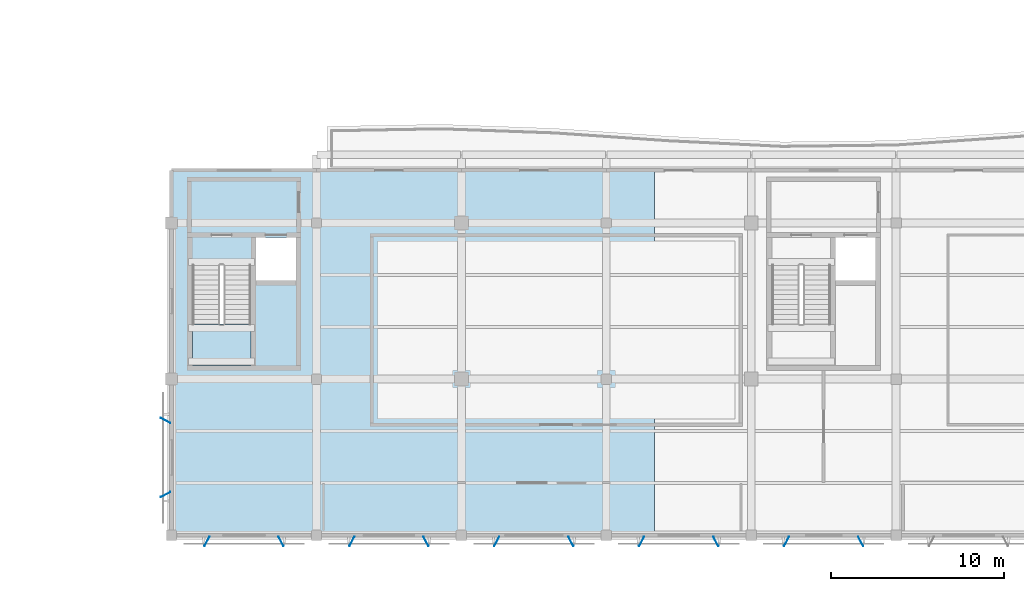
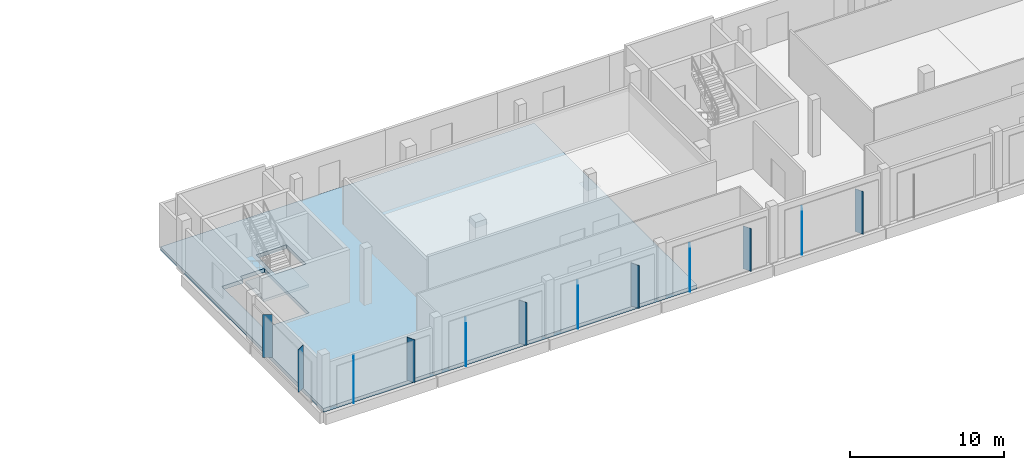
# One storey, part 8 of 28: 12 plates, 2 slabs, 1 element without a shape of its own.
"""IFC4 building model written with IfcOpenShell, lengths in metres."""

import ifcopenshell
import ifcopenshell.guid

model = None  # the IFC model being written
_history = None  # IfcOwnerHistory: only IFC2X3 demands one
_inside = {}  # id of a spatial element -> (the spatial element, [elements in it])
_under = {}  # id of a project, library or spatial element -> (it, [spatial elements below it])
_declared = {}  # id of a project -> (the project, [libraries it declares])
_typed = {}  # id of a type object -> (the type object, [elements of that type])
_made_of = {}  # id of a material, layer set ... -> (it, [elements and type objects made of it])


def new_model(schema):
    """Start an empty IFC model of exactly this schema.

    Asked for "IFC4X3", IfcOpenShell would pick the latest addendum, in which some entities
    have other attributes; the version numbers below select the first issue.
    IFC2X3 requires an IfcOwnerHistory on every rooted entity: one is made here for all.
    """
    global model, _history
    if schema == "IFC4X3":
        model = ifcopenshell.file(schema_version=(4, 3, 0, 0))
    else:
        model = ifcopenshell.file(schema=schema)
    _inside.clear()
    _under.clear()
    _declared.clear()
    _typed.clear()
    _made_of.clear()
    _history = None
    if model.schema == "IFC2X3":
        org = make("IfcOrganization", Name="unknown")
        user = make(
            "IfcPersonAndOrganization",
            ThePerson=make("IfcPerson", FamilyName="unknown"),
            TheOrganization=org,
        )
        app = make(
            "IfcApplication",
            ApplicationDeveloper=org,
            Version="unknown",
            ApplicationFullName="unknown",
            ApplicationIdentifier="unknown",
        )
        _history = make(
            "IfcOwnerHistory",
            OwningUser=user,
            OwningApplication=app,
            ChangeAction="ADDED",
            CreationDate=0,
        )
    return model


def make(cls, **values):
    """One entity of the class cls with the attributes given. An attribute that is None is left unset."""
    return model.create_entity(
        cls, **{name: value for name, value in values.items() if value is not None}
    )


def rooted(cls, **values):
    """An entity with a GlobalId (a new one), such as an element, a storey or a relation."""
    return make(cls, GlobalId=ifcopenshell.guid.new(), OwnerHistory=_history, **values)


def si_unit(unit_type, name, prefix=None):
    """IfcSIUnit, for example si_unit("LENGTHUNIT", "METRE", prefix="MILLI")."""
    return make("IfcSIUnit", UnitType=unit_type, Prefix=prefix, Name=name)


def assignment(units):
    """IfcUnitAssignment: the units of a project."""
    return None if units is None else make("IfcUnitAssignment", Units=units)


def point(xyz):
    """IfcCartesianPoint."""
    return None if xyz is None else make("IfcCartesianPoint", Coordinates=xyz)


def direction(xyz):
    """IfcDirection."""
    return None if xyz is None else make("IfcDirection", DirectionRatios=xyz)


def frame(location, z_axis=None, x_axis=None):
    """IfcAxis2Placement3D, a coordinate frame: its origin and axes. An axis left out is left unset."""
    return make(
        "IfcAxis2Placement3D",
        Location=point(location),
        Axis=direction(z_axis),
        RefDirection=direction(x_axis),
    )


def frame_2d(location, x_axis=None):
    """IfcAxis2Placement2D, a coordinate frame in the plane: its origin and x axis."""
    return make(
        "IfcAxis2Placement2D", Location=point(location), RefDirection=direction(x_axis)
    )


def origin():
    """The frame at (0, 0, 0) with its axes left unset."""
    return frame((0.0, 0.0, 0.0))


def origin_2d():
    """The frame at (0, 0) in the plane with its x axis left unset."""
    return frame_2d((0.0, 0.0))


def place(relative_to, where):
    """IfcLocalPlacement: puts the frame where relative to a parent placement (None: the world)."""
    return make(
        "IfcLocalPlacement", PlacementRelTo=relative_to, RelativePlacement=where
    )


def context(
    kind, dimensions, precision=None, world=None, true_north=None, identifier=None
):
    """IfcGeometricRepresentationContext, for example the 3D "Model" context."""
    return make(
        "IfcGeometricRepresentationContext",
        ContextIdentifier=identifier,
        ContextType=kind,
        CoordinateSpaceDimension=dimensions,
        Precision=precision,
        WorldCoordinateSystem=world,
        TrueNorth=true_north,
    )


def subcontext(parent, identifier, kind, view, scale=None):
    """IfcGeometricRepresentationSubContext, for example "Body" below "Model"."""
    return make(
        "IfcGeometricRepresentationSubContext",
        ContextIdentifier=identifier,
        ContextType=kind,
        ParentContext=parent,
        TargetScale=scale,
        TargetView=view,
    )


def project(units=None, contexts=None):
    """IfcProject with its units and contexts."""
    return rooted(
        "IfcProject",
        Name="project",
        RepresentationContexts=contexts,
        UnitsInContext=assignment(units),
    )


def spatial(cls, under=None, at=None, **own):
    """A site, building, storey or space (cls), placed at a placement, below another one or the project."""
    s = rooted(cls, ObjectPlacement=at, **own)
    if under is not None:
        _under.setdefault(under.id(), (under, []))[1].append(s)
    return s


def polyline(points):
    """IfcPolyline through the points."""
    return make("IfcPolyline", Points=[point(p) for p in points])


def profile(cls, at=None, kind="AREA", **sizes):
    """A parametric profile (cls). Its sizes go by their IFC names, for example OverallWidth=200.0."""
    return make(cls, ProfileType=kind, Position=at, **sizes)


def rectangle(**sizes):
    """IfcRectangleProfileDef."""
    return profile("IfcRectangleProfileDef", **sizes)


def outline(outer, holes=None, kind="AREA"):
    """IfcArbitraryClosedProfileDef: a profile drawn as a closed curve; with holes, ...WithVoids."""
    if holes is None:
        return make("IfcArbitraryClosedProfileDef", ProfileType=kind, OuterCurve=outer)
    return make(
        "IfcArbitraryProfileDefWithVoids",
        ProfileType=kind,
        OuterCurve=outer,
        InnerCurves=holes,
    )


def extrude(swept, where, along, depth):
    """IfcExtrudedAreaSolid: the profile swept, set in the frame where, extruded along a direction by depth."""
    return make(
        "IfcExtrudedAreaSolid",
        SweptArea=swept,
        Position=where,
        ExtrudedDirection=direction(along),
        Depth=depth,
    )


def shape(context_of_items, identifier, shape_type, items):
    """IfcShapeRepresentation: the items that make up one representation, for example the "Body"."""
    return make(
        "IfcShapeRepresentation",
        ContextOfItems=context_of_items,
        RepresentationIdentifier=identifier,
        RepresentationType=shape_type,
        Items=items,
    )


def material(Name=None, Category=None):
    """IfcMaterial."""
    return make("IfcMaterial", Name=Name, Category=Category)


def layer(
    of_material, thickness, ventilated=None, Name=None, Category=None, Priority=None
):
    """IfcMaterialLayer: one layer of a wall or slab, of a material (None: an air gap)."""
    return make(
        "IfcMaterialLayer",
        Material=of_material,
        LayerThickness=thickness,
        IsVentilated=ventilated,
        Name=Name,
        Category=Category,
        Priority=Priority,
    )


def layer_set(layers, Name=None):
    """IfcMaterialLayerSet."""
    return make("IfcMaterialLayerSet", MaterialLayers=layers, LayerSetName=Name)


def made_of(thing, what):
    """Note that an element or type object is made of a material, layer set ...; save() writes the relation."""
    if what is not None:
        _made_of.setdefault(what.id(), (what, []))[1].append(thing)
    return thing


def type_object(cls, material=None, **own):
    """A type object (cls), such as IfcWallType, which elements share."""
    return made_of(rooted(cls, **own), material)


def element(
    cls,
    number,
    at=None,
    inside=None,
    cuts=None,
    type_object=None,
    material=None,
    context=None,
    identifier="Body",
    shape_type=None,
    held_by="IfcProductDefinitionShape",
    body=None,
    shapes=None,
    **own,
):
    """One element of the class cls, such as IfcWall. Its Tag is "e" and its number.

    at: its placement. inside: the storey or other place that contains it. cuts: it is an
    opening in that element (IfcRelVoidsElement). A single representation is given by context,
    identifier, shape_type and body (its items); several are given by shapes. held_by: the class
    of the entity that holds the representations. save() writes the other relations.
    """
    e = rooted(cls, Tag="e%d" % number, ObjectPlacement=at, **own)
    if body is not None:
        shapes = [shape(context, identifier, shape_type, body)]
    if shapes is not None:
        e.Representation = make(held_by, Representations=shapes)
    if inside is not None:
        _inside.setdefault(inside.id(), (inside, []))[1].append(e)
    if cuts is not None:
        rooted(
            "IfcRelVoidsElement", RelatingBuildingElement=cuts, RelatedOpeningElement=e
        )
    if type_object is not None:
        _typed.setdefault(type_object.id(), (type_object, []))[1].append(e)
    return made_of(e, material)


def aggregate(whole, parts):
    """IfcRelAggregates: a whole, such as a stair, and the parts it consists of."""
    return rooted("IfcRelAggregates", RelatingObject=whole, RelatedObjects=parts)


def save(model, path):
    """Write the relations noted so far, then the file.

    IfcRelAggregates (storeys below a building ...), IfcRelContainedInSpatialStructure (elements
    in a storey), IfcRelDefinesByType, IfcRelAssociatesMaterial and IfcRelDeclares: one each for
    every whole, place, type object, material and project.
    """
    for whole, parts in _under.values():
        aggregate(whole, parts)
    for where, things in _inside.values():
        rooted(
            "IfcRelContainedInSpatialStructure",
            RelatedElements=things,
            RelatingStructure=where,
        )
    for kind, things in _typed.values():
        rooted("IfcRelDefinesByType", RelatedObjects=things, RelatingType=kind)
    for what, things in _made_of.values():
        rooted("IfcRelAssociatesMaterial", RelatedObjects=things, RelatingMaterial=what)
    for by, libraries in _declared.values():
        rooted("IfcRelDeclares", RelatingContext=by, RelatedDefinitions=libraries)
    model.write(path)


model = new_model("IFC4")

# Units and contexts
model_context = context("Model", 3, precision=1e-05, world=origin(), true_north=direction((0.0, 1.0)))
body_context = subcontext(model_context, "Body", "Model", "MODEL_VIEW")
ifc_project = project(units=[si_unit("LENGTHUNIT", "METRE"), si_unit("AREAUNIT", "SQUARE_METRE"), si_unit("VOLUMEUNIT", "CUBIC_METRE"), si_unit("PLANEANGLEUNIT", "RADIAN"), si_unit("MASSUNIT", "GRAM", prefix="KILO")], contexts=[model_context])

# Site, building, storey
site_placement = place(None, origin())
site = spatial("IfcSite", under=ifc_project, at=site_placement, CompositionType="ELEMENT")
building_placement = place(site_placement, origin())
building = spatial("IfcBuilding", under=site, at=building_placement, Name="Khurvash Pelagic Aquarium", CompositionType="ELEMENT")
storey_placement = place(building_placement, frame((0.0, 0.0, 20.10009765625)))
storey = spatial("IfcBuildingStorey", under=building, at=storey_placement, Name="L04", CompositionType="ELEMENT", Elevation=20.10009765625)

# Slab
ifc_material_1 = material(Name="Concrete C40/50", Category="concrete")
ifc_layer_1 = layer(ifc_material_1, 0.300048828125)
ifc_layer_set_1 = layer_set([ifc_layer_1], Name="Concrete C40/50")
slab_type_1 = type_object("IfcSlabType", Name="FS-300", PredefinedType="FLOOR", material=ifc_layer_set_1)
slab_1_placement = place(storey_placement, frame((0.0, 0.0, -0.300048828125)))
element("IfcSlab", 1, at=slab_1_placement, inside=storey, type_object=slab_type_1, Name="L04 Structural Floor Slab FS-300 V3_SOUTH.1", PredefinedType="FLOOR", context=body_context, shape_type="SweptSolid", body=[
    extrude(outline(polyline([(25.199951171875, 2.60009765625), (53.199951171875, 2.60009765625), (53.199951171875, 23.75), (25.199951171875, 23.75), (25.199951171875, 2.60009765625)]), holes=[polyline([(28.0, 18.25), (29.800048828125, 18.25), (29.800048828125, 12.449951171875), (26.39990234375, 12.449951171875), (26.39990234375, 17.8701171875), (28.0, 17.8701171875), (28.0, 18.25)]), polyline([(32.39990234375, 17.35009765625), (30.10009765625, 17.35009765625), (30.10009765625, 19.85009765625), (32.39990234375, 19.85009765625), (32.39990234375, 17.35009765625)])]), origin(), (0.0, 0.0, 1.0), 0.300048828125),
])

# Stair, slab
ifc_material_2 = material(Name="Concrete C35/45", Category="concrete")
stair_type = type_object("IfcStairType", Name="ST-01", PredefinedType="HALF_TURN_STAIR", material=ifc_material_2)
stair_placement = place(storey_placement, origin())
stair = element("IfcStair", 2, at=stair_placement, inside=storey, type_object=stair_type, Name="L04 Protected Exit Stair ST-01", PredefinedType="HALF_TURN_STAIR")
ifc_layer_2 = layer(ifc_material_2, 0.199951171875)
ifc_layer_set_2 = layer_set([ifc_layer_2], Name="Concrete C35/45")
slab_type_2 = type_object("IfcSlabType", Name="SL-LND-200", PredefinedType="LANDING", material=ifc_layer_set_2)
slab_2_placement = place(storey_placement, frame((0.0, 0.0, 2.0498046875)))
slab_2 = element("IfcSlab", 3, at=slab_2_placement, type_object=slab_type_2, Name="ST-01 landing 1", PredefinedType="LANDING", context=body_context, shape_type="SweptSolid", body=[
    extrude(outline(polyline([(26.39990234375, 14.830078125), (26.39990234375, 12.449951171875), (29.800048828125, 12.449951171875), (29.800048828125, 14.830078125), (26.39990234375, 14.830078125)])), origin(), (0.0, 0.0, 1.0), 0.2001953125),
])
aggregate(stair, [slab_2])

# Plates
ifc_material_3 = material(Name="Anodised aluminium AW-5005", Category="aluminium")
ifc_layer_3 = layer(ifc_material_3, 0.02392578125)
ifc_layer_set_3 = layer_set([ifc_layer_3], Name="Anodised aluminium AW-5005")
plate_type = type_object("IfcPlateType", Name="SP-01", PredefinedType="SHEET", material=ifc_layer_set_3)
for number, where, z_axis, x_axis, name in (
    (4, (27.25, 2.241943359375, 0.14990234375), (0.0, 0.0, 1.0), (-0.469471562786, -0.882947592859, 0.0), "L04 Parametric Folded Aluminium Solar Screen Fin SP-01 0075"),
    (5, (31.550048828125, 2.241943359375, 0.14990234375), (0.0, 0.0, 1.0), (0.469471562786, -0.882947592859, 0.0), "L04 Parametric Folded Aluminium Solar Screen Fin SP-01 0076"),
    (6, (35.64990234375, 2.241943359375, 0.14990234375), (0.0, 0.0, 1.0), (-0.469471562786, -0.882947592859, 0.0), "L04 Parametric Folded Aluminium Solar Screen Fin SP-01 0077"),
    (7, (39.949951171875, 2.241943359375, 0.14990234375), (0.0, 0.0, 1.0), (0.469471562786, -0.882947592859, 0.0), "L04 Parametric Folded Aluminium Solar Screen Fin SP-01 0078"),
    (8, (44.050048828125, 2.241943359375, 0.14990234375), (0.0, 0.0, 1.0), (-0.469471562786, -0.882947592859, 0.0), "L04 Parametric Folded Aluminium Solar Screen Fin SP-01 0079"),
    (9, (48.35009765625, 2.241943359375, 0.14990234375), (0.0, 0.0, 1.0), (0.469471562786, -0.882947592859, 0.0), "L04 Parametric Folded Aluminium Solar Screen Fin SP-01 0080"),
    (10, (52.449951171875, 2.241943359375, 0.14990234375), (0.0, 0.0, 1.0), (-0.469471562786, -0.882947592859, 0.0), "L04 Parametric Folded Aluminium Solar Screen Fin SP-01 0081"),
    (11, (56.75, 2.241943359375, 0.14990234375), (0.0, 0.0, 1.0), (0.469471562786, -0.882947592859, 0.0), "L04 Parametric Folded Aluminium Solar Screen Fin SP-01 0082"),
    (12, (60.85009765625, 2.241943359375, 0.14990234375), (0.0, 0.0, 1.0), (-0.469471562786, -0.882947592859, 0.0), "L04 Parametric Folded Aluminium Solar Screen Fin SP-01 0083"),
    (13, (65.14990234375, 2.241943359375, 0.14990234375), (0.0, 0.0, 1.0), (0.469471562786, -0.882947592859, 0.0), "L04 Parametric Folded Aluminium Solar Screen Fin SP-01 0084"),
    (14, (24.842041015625, 9.25, 0.14990234375), (0.0, 0.0, 1.0), (-0.882947592859, 0.469471562786, 0.0), "L04 Parametric Folded Aluminium Solar Screen Fin SP-01 0095"),
    (15, (24.842041015625, 4.949951171875, 0.14990234375), (0.0, 0.0, 1.0), (-0.882947592859, -0.469471562786, 0.0), "L04 Parametric Folded Aluminium Solar Screen Fin SP-01 0096"),
):
    element("IfcPlate", number, at=place(storey_placement, frame(where, z_axis=z_axis, x_axis=x_axis)), inside=storey, type_object=plate_type, Name=name, PredefinedType="SHEET", context=body_context, shape_type="SweptSolid", body=[
        extrude(rectangle(XDim=0.6201171875, YDim=0.02392578125, at=origin_2d()), origin(), (0.0, 0.0, 1.0), 3.39990234375),
    ])

save(model, "model.ifc")
